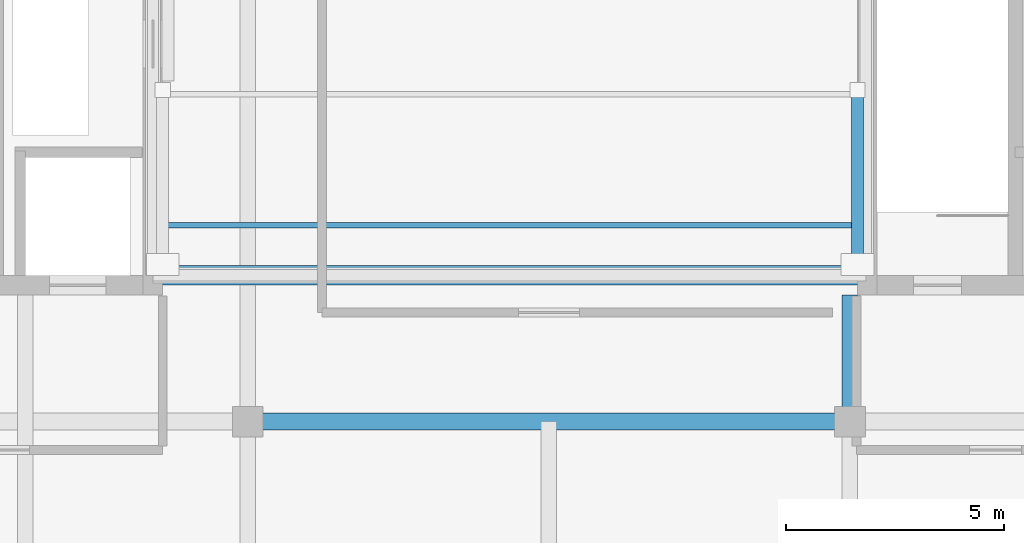
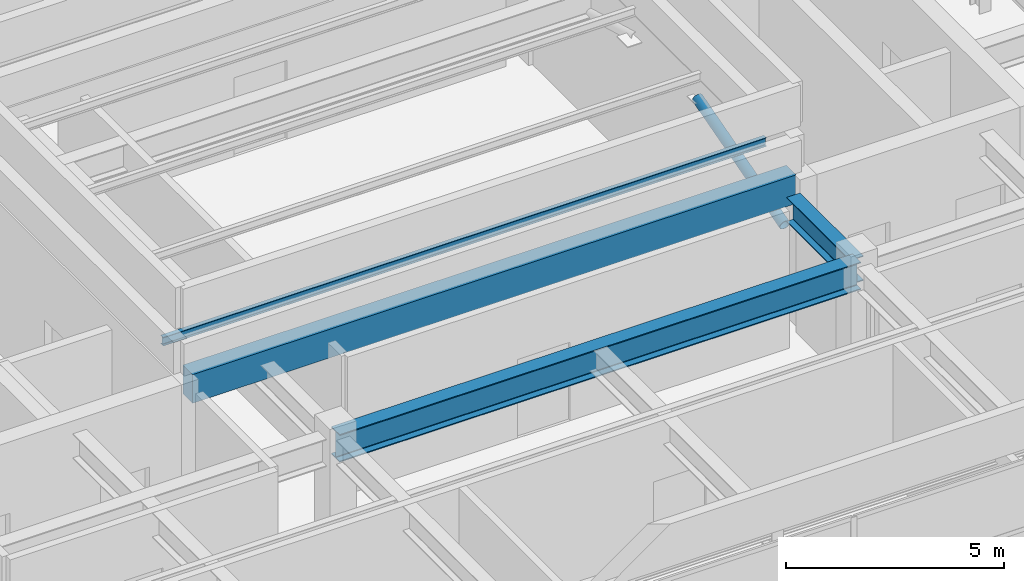
# One storey, part 10 of 33: 3 beams, 2 members.
"""IFC4 building model written with IfcOpenShell, lengths in metres."""

from ifc_helpers import new_model, si_unit, direction, frame, origin, origin_2d, place, context, subcontext, project, spatial, rectangle, hollow_circle, i_section, extrude, source, transform, mapped, material, material_profile, profile_set, type_object, element, save


model = new_model("IFC4")

# Units and contexts
model_context = context("Model", 3, precision=1e-05, world=origin(), true_north=direction((0.0, 1.0)))
body_context = subcontext(model_context, "Body", "Model", "MODEL_VIEW")
ifc_project = project(units=[si_unit("LENGTHUNIT", "METRE"), si_unit("AREAUNIT", "SQUARE_METRE"), si_unit("VOLUMEUNIT", "CUBIC_METRE"), si_unit("PLANEANGLEUNIT", "RADIAN"), si_unit("MASSUNIT", "GRAM", prefix="KILO")], contexts=[model_context])

# Site, building, storey
site_placement = place(None, origin())
site = spatial("IfcSite", under=ifc_project, at=site_placement, CompositionType="ELEMENT")
building_placement = place(site_placement, origin())
building = spatial("IfcBuilding", under=site, at=building_placement, Name="Khoralis Quay Care Tower", CompositionType="ELEMENT")
storey_placement = place(building_placement, frame((0.0, 0.0, 314.699951171875)))
storey = spatial("IfcBuildingStorey", under=building, at=storey_placement, Name="L82", CompositionType="ELEMENT", Elevation=314.699951171875)

# Beams
ifc_material_1 = material(Name="Concrete C50/60", Category="concrete")
ifc_material_profile_1 = material_profile(ifc_material_1, rectangle(XDim=0.449951171875, YDim=0.800048828125, at=origin_2d()), Name="Concrete C50/60")
ifc_profile_set_1 = profile_set([ifc_material_profile_1], Name="Concrete C50/60")
beam_type_1 = type_object("IfcBeamType", Name="CB-RC450X800", PredefinedType="LINTEL", material=ifc_profile_set_1)
shared_shape_1 = source(origin(), body_context, "Body", "SweptSolid", [
    extrude(rectangle(XDim=0.449951171875, YDim=0.800048828125, at=origin_2d()), origin(), (0.0, 0.0, 1.0), 15.97998046875),
])
beam_1_placement = place(storey_placement, frame((15.1201171875, 15.35009765625, 3.800048828125), z_axis=(1.0, 0.0, 0.0), x_axis=(0.0, 1.0, 0.0)))
element("IfcBeam", 1, at=beam_1_placement, inside=storey, type_object=beam_type_1, Name="L82 South Core Coupling Lintel", PredefinedType="LINTEL", context=body_context, shape_type="MappedRepresentation", body=[
    mapped(shared_shape_1, transform((0.0, 0.0, 0.0), scale=1.0)),
])
ifc_material_2 = material(Name="Steel S355", Category="steel")
ifc_material_profile_2 = material_profile(ifc_material_2, i_section(OverallWidth=0.381103515625, OverallDepth=0.77294921875, WebThickness=0.0166015625, FlangeThickness=0.027587890625, FilletRadius=0.02197265625, at=origin_2d()), Name="Steel S355")
ifc_profile_set_2 = profile_set([ifc_material_profile_2], Name="Steel S355")
beam_type_2 = type_object("IfcBeamType", Name="BM-W760X257", PredefinedType="BEAM", material=ifc_profile_set_2)
shared_shape_2 = source(origin(), body_context, "Body", "SweptSolid", [
    extrude(i_section(OverallWidth=0.381103515625, OverallDepth=0.77294921875, WebThickness=0.0166015625, FlangeThickness=0.027587890625, FilletRadius=0.02197265625, at=origin_2d()), origin(), (0.0, 0.0, 1.0), 13.7998046875),
])
beam_2_placement = place(storey_placement, frame((17.10009765625, 12.0, 3.45361328125), z_axis=(1.0, 0.0, 0.0), x_axis=(0.0, 1.0, 0.0)))
element("IfcBeam", 2, at=beam_2_placement, inside=storey, type_object=beam_type_2, Name="BM-TGCC-L82-120", PredefinedType="BEAM", context=body_context, shape_type="MappedRepresentation", body=[
    mapped(shared_shape_2, transform((0.0, 0.0, 0.0), scale=1.0)),
])
ifc_material_profile_3 = material_profile(ifc_material_2, i_section(OverallWidth=0.35498046875, OverallDepth=0.695068359375, WebThickness=0.015380859375, FlangeThickness=0.02490234375, FilletRadius=0.02001953125, at=origin_2d()), Name="Steel S355")
ifc_profile_set_3 = profile_set([ifc_material_profile_3], Name="Steel S355")
beam_type_3 = type_object("IfcBeamType", Name="BM-W690X217", PredefinedType="BEAM", material=ifc_profile_set_3)
shared_shape_3 = source(origin(), body_context, "Body", "SweptSolid", [
    extrude(i_section(OverallWidth=0.35498046875, OverallDepth=0.695068359375, WebThickness=0.015380859375, FlangeThickness=0.02490234375, FilletRadius=0.02001953125, at=origin_2d()), origin(), (0.0, 0.0, 1.0), 2.902099609375),
])
beam_3_placement = place(storey_placement, frame((30.89990234375, 12.0, 3.492431640625), z_axis=(0.0, 1.0, 0.0), x_axis=(-1.0, 0.0, 0.0)))
element("IfcBeam", 3, at=beam_3_placement, inside=storey, type_object=beam_type_3, Name="BM-TGSE-L82-S", PredefinedType="BEAM", context=body_context, shape_type="MappedRepresentation", body=[
    mapped(shared_shape_3, transform((0.0, 0.0, 0.0), scale=1.0)),
])

# Members
ifc_material_profile_4 = material_profile(ifc_material_2, hollow_circle(Radius=0.136474609375, WallThickness=0.012451171875, at=origin_2d()), Name="Steel S355")
ifc_profile_set_4 = profile_set([ifc_material_profile_4], Name="Steel S355")
member_type_1 = type_object("IfcMemberType", Name="ST-CHS273X12", PredefinedType="STRUT", material=ifc_profile_set_4)
shared_shape_4 = source(origin(), body_context, "Body", "SweptSolid", [
    extrude(hollow_circle(Radius=0.136474609375, WallThickness=0.012451171875, at=origin_2d()), origin(), (0.0, 0.0, 1.0), 4.156494140625),
])
member_1_placement = place(storey_placement, frame((31.072021484375, 15.60009765625, 2.52001953125), z_axis=(0.0, 0.962328782221, 0.271888423639), x_axis=(-1.0, 0.0, 0.0)))
element("IfcMember", 4, at=member_1_placement, inside=storey, type_object=member_type_1, Name="L82 Lantern Diagrid Strut 3", PredefinedType="STRUT", context=body_context, shape_type="MappedRepresentation", body=[
    mapped(shared_shape_4, transform((0.0, 0.0, 0.0), scale=1.0)),
])
ifc_material_profile_5 = material_profile(ifc_material_2, i_section(OverallWidth=0.1201171875, OverallDepth=0.239990234375, WebThickness=0.006103515625, FlangeThickness=0.009765625, FilletRadius=0.014892578125, at=origin_2d()), Name="Steel S355")
ifc_profile_set_5 = profile_set([ifc_material_profile_5], Name="Steel S355")
member_type_2 = type_object("IfcMemberType", Name="PR-IPE240", PredefinedType="PURLIN", material=ifc_profile_set_5)
shared_shape_5 = source(origin(), body_context, "Body", "SweptSolid", [
    extrude(i_section(OverallWidth=0.1201171875, OverallDepth=0.239990234375, WebThickness=0.006103515625, FlangeThickness=0.009765625, FilletRadius=0.014892578125, at=origin_2d()), origin(), (0.0, 0.0, 1.0), 15.97998046875),
])
member_2_placement = place(storey_placement, frame((15.10009765625, 16.5, 4.330078125), z_axis=(1.0, 0.0, 0.0), x_axis=(0.0, 1.0, 0.0)))
element("IfcMember", 5, at=member_2_placement, inside=storey, type_object=member_type_2, Name="MBR-RF-PR-1", PredefinedType="PURLIN", context=body_context, shape_type="MappedRepresentation", body=[
    mapped(shared_shape_5, transform((0.0, 0.0, 0.0), scale=1.0)),
])

save(model, "model.ifc")
